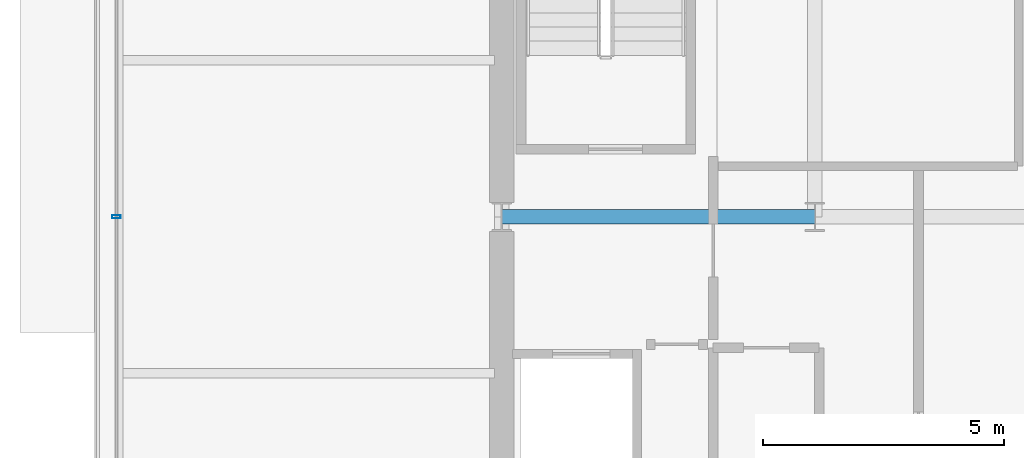
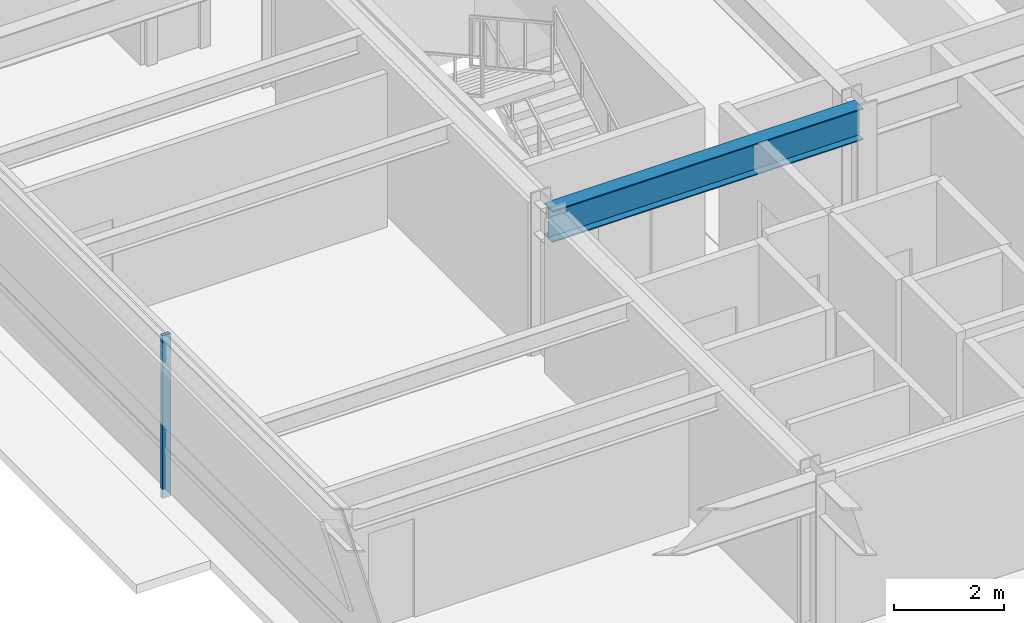
# One storey, part 10 of 34: 1 beam, 1 member, 1 element without a shape of its own.
"""IFC4 building model written with IfcOpenShell, lengths in metres."""

from ifc_helpers import new_model, si_unit, direction, frame, origin, origin_2d, place, context, subcontext, project, spatial, hollow_rectangle, i_section, extrude, material, layer, layer_set, material_profile, profile_set, type_object, element, aggregate, save


model = new_model("IFC4")

# Units and contexts
model_context = context("Model", 3, precision=1e-05, world=origin(), true_north=direction((0.0, 1.0)))
body_context = subcontext(model_context, "Body", "Model", "MODEL_VIEW")
ifc_project = project(units=[si_unit("LENGTHUNIT", "METRE"), si_unit("AREAUNIT", "SQUARE_METRE"), si_unit("VOLUMEUNIT", "CUBIC_METRE"), si_unit("PLANEANGLEUNIT", "RADIAN"), si_unit("MASSUNIT", "GRAM", prefix="KILO")], contexts=[model_context])

# Site, building, storey
site_placement = place(None, origin())
site = spatial("IfcSite", under=ifc_project, at=site_placement, CompositionType="ELEMENT")
building_placement = place(site_placement, origin())
building = spatial("IfcBuilding", under=site, at=building_placement, Name="Brelmoor Portico Tower", CompositionType="ELEMENT")
storey_placement = place(building_placement, frame((0.0, 0.0, 117.0)))
storey = spatial("IfcBuildingStorey", under=building, at=storey_placement, Name="L30", CompositionType="ELEMENT", Elevation=117.0)

# Beam
ifc_material_1 = material(Name="Steel Q355B", Category="steel")
ifc_material_profile_1 = material_profile(ifc_material_1, i_section(OverallWidth=0.300048828125, OverallDepth=0.699951171875, WebThickness=0.012939453125, FlangeThickness=0.02392578125, at=origin_2d()), Name="HN 700x300x13x24")
ifc_profile_set_1 = profile_set([ifc_material_profile_1], Name="Steel Q355B")
beam_type = type_object("IfcBeamType", Name="BM-PG-700", PredefinedType="BEAM", material=ifc_profile_set_1)
beam_placement = place(storey_placement, frame((-14.550048828125, 0.0, 3.050048828125), z_axis=(1.0, 0.0, 0.0), x_axis=(0.0, 1.0, 0.0)))
element("IfcBeam", 1, at=beam_placement, inside=storey, type_object=beam_type, Name="L30 Primary Floor Girder PG-19", PredefinedType="BEAM", context=body_context, shape_type="SweptSolid", body=[
    extrude(i_section(OverallWidth=0.300048828125, OverallDepth=0.699951171875, WebThickness=0.012939453125, FlangeThickness=0.02392578125, at=origin_2d()), origin(), (0.0, 0.0, 1.0), 6.5),
])

# Curtain wall, member
ifc_material_2 = material(Name="Anodised Aluminium Alloy 6063-T6", Category="aluminium")
ifc_layer = layer(ifc_material_2, 0.179931640625)
ifc_layer_set = layer_set([ifc_layer], Name="Anodised Aluminium Alloy 6063-T6")
curtain_wall_type = type_object("IfcCurtainWallType", Name="CW-TOWER-Z2", PredefinedType="NOTDEFINED", material=ifc_layer_set)
curtain_wall_placement = place(storey_placement, origin())
curtain_wall = element("IfcCurtainWall", 2, at=curtain_wall_placement, inside=storey, type_object=curtain_wall_type, Name="L30 Curtain Wall CW-L30-03-2", PredefinedType="NOTDEFINED")
ifc_material_profile_2 = material_profile(ifc_material_2, hollow_rectangle(XDim=0.06494140625, YDim=0.179931640625, WallThickness=0.00390625, at=origin_2d()), Name="ALU MULLION 65x180")
ifc_profile_set_2 = profile_set([ifc_material_profile_2], Name="Anodised Aluminium Alloy 6063-T6")
member_type = type_object("IfcMemberType", Name="MB-CW-MULL-180", PredefinedType="MULLION", material=ifc_profile_set_2)
member_placement = place(storey_placement, frame((-22.550048828125, 0.0, -0.199951171875), z_axis=(0.0, 0.0, 1.0), x_axis=(0.0, 1.0, 0.0)))
member = element("IfcMember", 3, at=member_placement, type_object=member_type, Name="CW-L30-03-2 Mullion 01", PredefinedType="MULLION", context=body_context, shape_type="SweptSolid", body=[
    extrude(hollow_rectangle(XDim=0.06494140625, YDim=0.179931640625, WallThickness=0.00390625, at=origin_2d()), origin(), (0.0, 0.0, 1.0), 3.599853515625),
])
aggregate(curtain_wall, [member])

save(model, "model.ifc")
